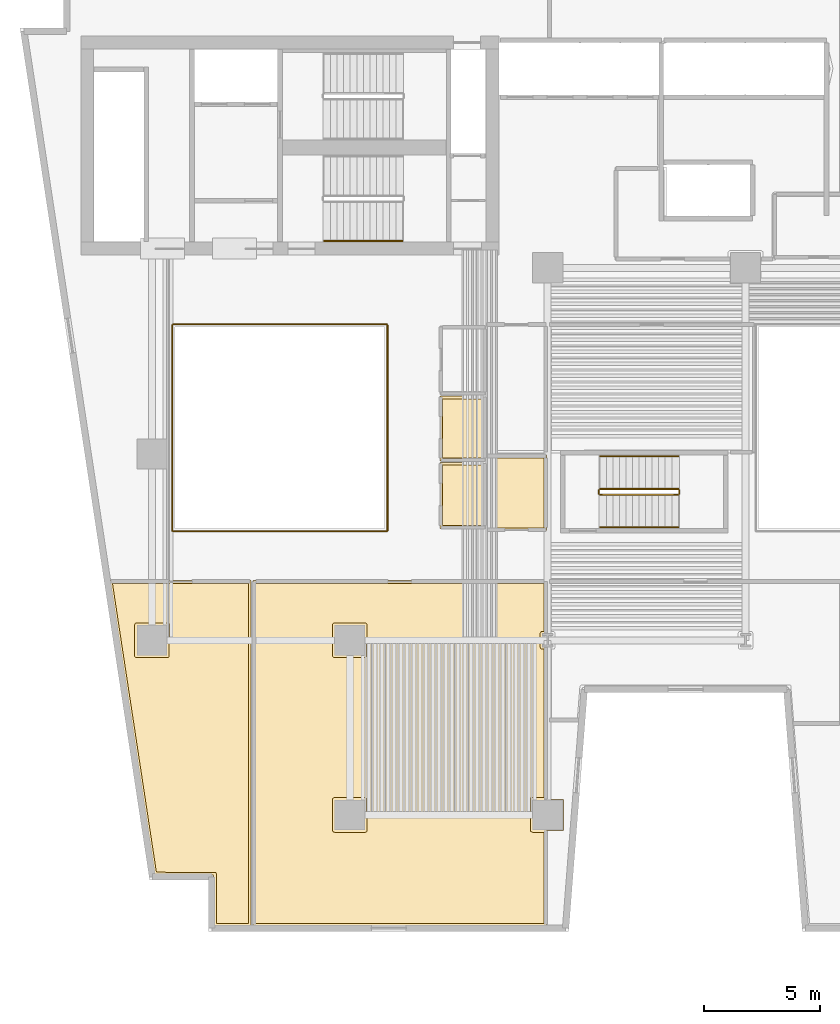
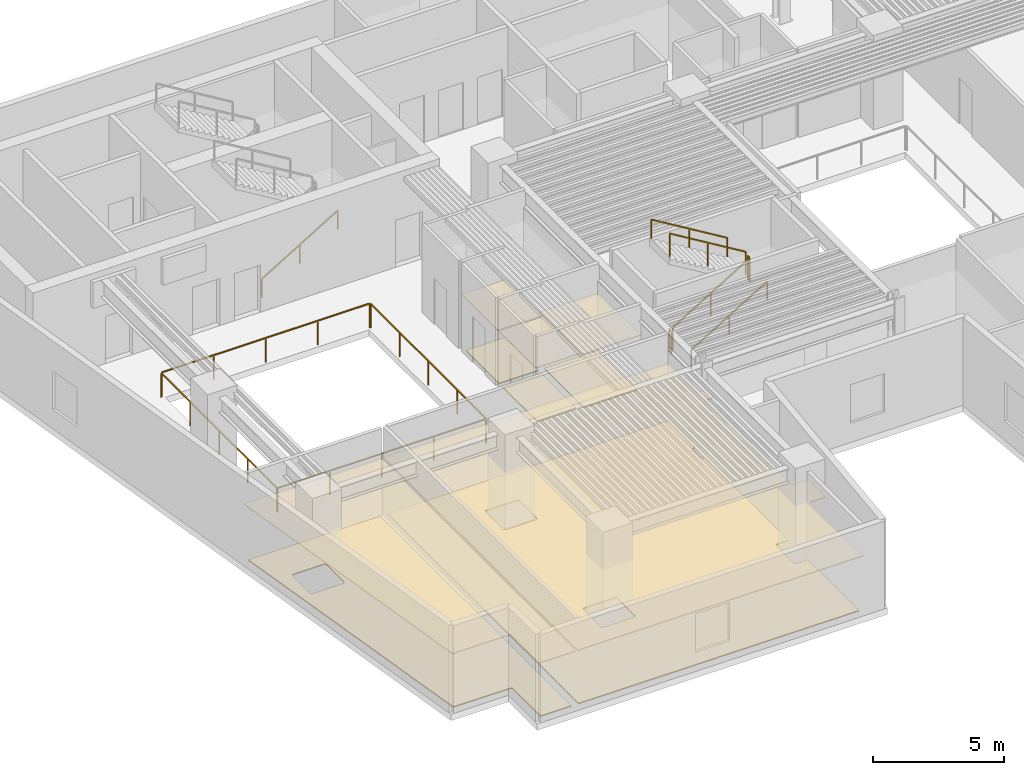
# One storey, part 8 of 11: 11 railings, 10 coverings.
"""IFC4 building model written with IfcOpenShell, lengths in metres."""

from ifc_helpers import new_model, si_unit, direction, frame, origin, origin_2d, place, context, subcontext, project, spatial, polyline, rectangle, outline, extrude, material, layer, layer_set, type_object, element, save


model = new_model("IFC4")

# Units and contexts
model_context = context("Model", 3, precision=1e-05, world=origin(), true_north=direction((0.0, 1.0)))
body_context = subcontext(model_context, "Body", "Model", "MODEL_VIEW")
ifc_project = project(units=[si_unit("LENGTHUNIT", "METRE"), si_unit("AREAUNIT", "SQUARE_METRE"), si_unit("VOLUMEUNIT", "CUBIC_METRE"), si_unit("PLANEANGLEUNIT", "RADIAN"), si_unit("MASSUNIT", "GRAM", prefix="KILO")], contexts=[model_context])

# Site, building, storey
site_placement = place(None, origin())
site = spatial("IfcSite", under=ifc_project, at=site_placement, CompositionType="ELEMENT")
building_placement = place(site_placement, origin())
building = spatial("IfcBuilding", under=site, at=building_placement, Name="Caeloran Harvest Quay", CompositionType="ELEMENT")
storey_placement = place(building_placement, frame((0.0, 0.0, 49.0)))
storey = spatial("IfcBuildingStorey", under=building, at=storey_placement, Name="L11", CompositionType="ELEMENT", Elevation=49.0)

# Coverings
ifc_material_1 = material(Name="Perforated Mineral-Fibre Acoustic Ceiling Tile", Category="ceiling")
ifc_layer_1 = layer(ifc_material_1, 0.0400390625, Name="Perforated Mineral-Fibre Acoustic Ceiling Tile")
ifc_layer_set_1 = layer_set([ifc_layer_1], Name="Perforated Mineral-Fibre Acoustic Ceiling Tile")
covering_type_1 = type_object("IfcCoveringType", Name="COV-CEILING-ACOUSTIC", PredefinedType="CEILING", material=ifc_layer_set_1)
covering_1_placement = place(storey_placement, frame((0.0, 0.0, 2.60009765625)))
element("IfcCovering", 1, at=covering_1_placement, inside=storey, type_object=covering_type_1, Name="L11 Female Washroom WC Acoustic Ceiling", PredefinedType="CEILING", context=body_context, shape_type="SweptSolid", body=[
    extrude(outline(polyline([(22.840087890625, 22.7099609375), (20.8701171875, 22.7099609375), (20.8701171875, 25.489990234375), (22.840087890625, 25.489990234375), (22.840087890625, 22.7099609375)])), origin(), (0.0, 0.0, 1.0), 0.039794921875),
])
covering_2_placement = place(storey_placement, frame((0.0, 0.0, 2.60009765625)))
element("IfcCovering", 2, at=covering_2_placement, inside=storey, type_object=covering_type_1, Name="L11 Accessible Unisex Washroom WC Acoustic Ceiling", PredefinedType="CEILING", context=body_context, shape_type="SweptSolid", body=[
    extrude(outline(polyline([(22.840087890625, 19.81005859375), (20.8701171875, 19.81005859375), (20.8701171875, 22.639892578125), (22.840087890625, 22.639892578125), (22.840087890625, 19.81005859375)])), origin(), (0.0, 0.0, 1.0), 0.039794921875),
])
covering_3_placement = place(storey_placement, frame((0.0, 0.0, 2.60009765625)))
element("IfcCovering", 3, at=covering_3_placement, inside=storey, type_object=covering_type_1, Name="Saffron and Herb Vertical Growing Room Acoustic Ceiling", PredefinedType="CEILING", context=body_context, shape_type="SweptSolid", body=[
    extrude(outline(polyline([(26.169921875, 8.169921875), (26.169921875, 6.830078125), (25.4599609375, 6.830078125), (25.4599609375, 2.719970703125), (12.840087890625, 2.719970703125), (12.840087890625, 17.56005859375), (25.4599609375, 17.56005859375), (25.4599609375, 15.304443359375), (25.7470703125, 15.304443359375), (25.7470703125, 14.695556640625), (25.4599609375, 14.695556640625), (25.4599609375, 8.169921875), (26.169921875, 8.169921875)])), origin(), (0.0, 0.0, 1.0), 0.039794921875),
])
covering_4_placement = place(storey_placement, frame((0.0, 0.0, 2.60009765625)))
element("IfcCovering", 4, at=covering_4_placement, inside=storey, type_object=covering_type_1, Name="Pollination Entomology Laboratory Acoustic Ceiling", PredefinedType="CEILING", context=body_context, shape_type="SweptSolid", body=[
    extrude(outline(polyline([(12.760009765625, 2.719970703125), (11.156982421875, 2.719970703125), (11.156982421875, 4.919921875), (8.59130859375, 4.919921875), (6.668701171875, 17.56005859375), (12.760009765625, 17.56005859375), (12.760009765625, 2.719970703125)])), origin(), (0.0, 0.0, 1.0), 0.039794921875),
])
covering_5_placement = place(storey_placement, frame((0.0, 0.0, 2.60009765625)))
element("IfcCovering", 5, at=covering_5_placement, inside=storey, type_object=covering_type_1, Name="Controlled-Climate Seed Vault Laboratory Acoustic Ceiling", PredefinedType="CEILING", context=body_context, shape_type="SweptSolid", body=[
    extrude(outline(polyline([(25.4599609375, 19.7099609375), (22.8701171875, 19.7099609375), (22.8701171875, 22.9599609375), (25.4599609375, 22.9599609375), (25.4599609375, 19.7099609375)])), origin(), (0.0, 0.0, 1.0), 0.039794921875),
])
ifc_material_2 = material(Name="Calcium-Sulphate Raised Access Floor and Terrazzo Finish", Category="flooring")
ifc_layer_2 = layer(ifc_material_2, 0.050048828125, Name="Calcium-Sulphate Raised Access Floor and Terrazzo Finish")
ifc_layer_set_2 = layer_set([ifc_layer_2], Name="Calcium-Sulphate Raised Access Floor and Terrazzo Finish")
covering_type_2 = type_object("IfcCoveringType", Name="COV-FLOOR-RAISED", PredefinedType="FLOORING", material=ifc_layer_set_2)
covering_6_placement = place(storey_placement, origin())
element("IfcCovering", 6, at=covering_6_placement, inside=storey, type_object=covering_type_2, Name="L11 Female Washroom WC Raised Finish Flooring", PredefinedType="FLOORING", context=body_context, shape_type="SweptSolid", body=[
    extrude(outline(polyline([(22.719970703125, 22.830078125), (20.989990234375, 22.830078125), (20.989990234375, 25.3701171875), (22.719970703125, 25.3701171875), (22.719970703125, 22.830078125)])), origin(), (0.0, 0.0, 1.0), 0.050048828125),
])
covering_7_placement = place(storey_placement, origin())
element("IfcCovering", 7, at=covering_7_placement, inside=storey, type_object=covering_type_2, Name="L11 Accessible Unisex Washroom WC Raised Finish Flooring", PredefinedType="FLOORING", context=body_context, shape_type="SweptSolid", body=[
    extrude(outline(polyline([(22.719970703125, 19.929931640625), (20.989990234375, 19.929931640625), (20.989990234375, 22.52001953125), (22.719970703125, 22.52001953125), (22.719970703125, 19.929931640625)])), origin(), (0.0, 0.0, 1.0), 0.050048828125),
])
covering_8_placement = place(storey_placement, origin())
element("IfcCovering", 8, at=covering_8_placement, inside=storey, type_object=covering_type_2, Name="Saffron and Herb Vertical Growing Room Raised Finish Flooring", PredefinedType="FLOORING", context=body_context, shape_type="SweptSolid", body=[
    extrude(outline(polyline([(25.340087890625, 17.43994140625), (25.340087890625, 15.37939453125), (25.22021484375, 15.3701171875), (25.177978515625, 15.299560546875), (25.179443359375, 14.684814453125), (25.227294921875, 14.626708984375), (25.340087890625, 14.62060546875), (25.340087890625, 8.2451171875), (24.8271484375, 8.24462890625), (24.773193359375, 8.2158203125), (24.7548828125, 8.1650390625), (24.760986328125, 6.804443359375), (24.8271484375, 6.75537109375), (25.340087890625, 6.7548828125), (25.340087890625, 2.840087890625), (12.9599609375, 2.840087890625), (12.9599609375, 17.43994140625), (25.340087890625, 17.43994140625)]), holes=[polyline([(16.3349609375, 8.2451171875), (16.2783203125, 8.2216796875), (16.2548828125, 8.1650390625), (16.2548828125, 6.8349609375), (16.2783203125, 6.7783203125), (16.3349609375, 6.7548828125), (17.6650390625, 6.7548828125), (17.7216796875, 6.7783203125), (17.7451171875, 6.8349609375), (17.7451171875, 8.1650390625), (17.7216796875, 8.2216796875), (17.6650390625, 8.2451171875), (16.3349609375, 8.2451171875)]), polyline([(17.7451171875, 15.6650390625), (17.7216796875, 15.7216796875), (17.6650390625, 15.7451171875), (16.3349609375, 15.7451171875), (16.2783203125, 15.7216796875), (16.2548828125, 15.6650390625), (16.2548828125, 14.3349609375), (16.2783203125, 14.2783203125), (16.3349609375, 14.2548828125), (17.6650390625, 14.2548828125), (17.7216796875, 14.2783203125), (17.7451171875, 14.3349609375), (17.7451171875, 15.6650390625)])]), origin(), (0.0, 0.0, 1.0), 0.050048828125),
])
covering_9_placement = place(storey_placement, origin())
element("IfcCovering", 9, at=covering_9_placement, inside=storey, type_object=covering_type_2, Name="Pollination Entomology Laboratory Raised Finish Flooring", PredefinedType="FLOORING", context=body_context, shape_type="SweptSolid", body=[
    extrude(outline(polyline([(12.639892578125, 17.43994140625), (12.639892578125, 2.840087890625), (11.277099609375, 2.840087890625), (11.277099609375, 4.9599609375), (11.247802734375, 5.021728515625), (8.694580078125, 5.0400390625), (6.80810546875, 17.43994140625), (12.639892578125, 17.43994140625)]), holes=[polyline([(9.2451171875, 15.6650390625), (9.2216796875, 15.7216796875), (9.1650390625, 15.7451171875), (7.8349609375, 15.7451171875), (7.7783203125, 15.7216796875), (7.7548828125, 15.6650390625), (7.7548828125, 14.3349609375), (7.7783203125, 14.2783203125), (7.8349609375, 14.2548828125), (9.1650390625, 14.2548828125), (9.2216796875, 14.2783203125), (9.2451171875, 14.3349609375), (9.2451171875, 15.6650390625)])]), origin(), (0.0, 0.0, 1.0), 0.050048828125),
])
covering_10_placement = place(storey_placement, origin())
element("IfcCovering", 10, at=covering_10_placement, inside=storey, type_object=covering_type_2, Name="Controlled-Climate Seed Vault Laboratory Raised Finish Flooring", PredefinedType="FLOORING", context=body_context, shape_type="SweptSolid", body=[
    extrude(outline(polyline([(25.340087890625, 19.830078125), (22.989990234375, 19.830078125), (22.989990234375, 22.840087890625), (25.340087890625, 22.840087890625), (25.340087890625, 19.830078125)])), origin(), (0.0, 0.0, 1.0), 0.050048828125),
])

# Railings
ifc_material_3 = material(Name="Powder-Coated Steel Post and Laminated Glass Guardrail", Category="steel")
ifc_layer_3 = layer(ifc_material_3, 0.06005859375, Name="Powder-Coated Steel Post and Laminated Glass Guardrail")
ifc_layer_set_3 = layer_set([ifc_layer_3], Name="Powder-Coated Steel Post and Laminated Glass Guardrail")
railing_type_1 = type_object("IfcRailingType", Name="GUARD-ATRIUM-1150", PredefinedType="GUARDRAIL", material=ifc_layer_set_3)
railing_1_placement = place(storey_placement, frame((9.412109375, 19.679931640625, 0.0)))
element("IfcRailing", 11, at=railing_1_placement, inside=storey, type_object=railing_type_1, Name="L11 Skylit Atrium Void Perimeter Guardrail Seg 1", PredefinedType="GUARDRAIL", context=body_context, shape_type="SweptSolid", body=[
    extrude(rectangle(XDim=0.048095703125, YDim=0.048095703125, at=origin_2d()), frame((0.0, 0.0, 1.1259765625), z_axis=(1.0, 0.0, 0.0), x_axis=(0.0, 1.0, 0.0)), (0.0, 0.0, 1.0), 9.17578125),
    extrude(rectangle(XDim=0.0419921875, YDim=0.0419921875, at=origin_2d()), origin(), (0.0, 0.0, 1.0), 1.101806640625),
    extrude(rectangle(XDim=0.0419921875, YDim=0.0419921875, at=origin_2d()), frame((2.2939453125, 0.0, 0.0)), (0.0, 0.0, 1.0), 1.101806640625),
    extrude(rectangle(XDim=0.0419921875, YDim=0.0419921875, at=origin_2d()), frame((4.587890625, 0.0, 0.0)), (0.0, 0.0, 1.0), 1.101806640625),
    extrude(rectangle(XDim=0.0419921875, YDim=0.0419921875, at=origin_2d()), frame((6.8818359375, 0.0, 0.0)), (0.0, 0.0, 1.0), 1.101806640625),
    extrude(rectangle(XDim=0.0419921875, YDim=0.0419921875, at=origin_2d()), frame((9.17578125, 0.0, 0.0)), (0.0, 0.0, 1.0), 1.101806640625),
])
railing_2_placement = place(storey_placement, frame((18.6201171875, 19.7119140625, 0.0)))
element("IfcRailing", 12, at=railing_2_placement, inside=storey, type_object=railing_type_1, Name="L11 Skylit Atrium Void Perimeter Guardrail Seg 2", PredefinedType="GUARDRAIL", context=body_context, shape_type="SweptSolid", body=[
    extrude(rectangle(XDim=0.048095703125, YDim=0.048095703125, at=origin_2d()), frame((0.0, 0.0, 1.1259765625), z_axis=(0.0, 1.0, 0.0), x_axis=(-1.0, 0.0, 0.0)), (0.0, 0.0, 1.0), 8.826171875),
    extrude(rectangle(XDim=0.0419921875, YDim=0.0419921875, at=origin_2d()), origin(), (0.0, 0.0, 1.0), 1.101806640625),
    extrude(rectangle(XDim=0.0419921875, YDim=0.0419921875, at=origin_2d()), frame((0.0, 2.20654296875, 0.0)), (0.0, 0.0, 1.0), 1.101806640625),
    extrude(rectangle(XDim=0.0419921875, YDim=0.0419921875, at=origin_2d()), frame((0.0, 4.4130859375, 0.0)), (0.0, 0.0, 1.0), 1.101806640625),
    extrude(rectangle(XDim=0.0419921875, YDim=0.0419921875, at=origin_2d()), frame((0.0, 6.61962890625, 0.0)), (0.0, 0.0, 1.0), 1.101806640625),
    extrude(rectangle(XDim=0.0419921875, YDim=0.0419921875, at=origin_2d()), frame((0.0, 8.826171875, 0.0)), (0.0, 0.0, 1.0), 1.101806640625),
])
railing_3_placement = place(storey_placement, frame((18.587890625, 28.570068359375, 0.0)))
element("IfcRailing", 13, at=railing_3_placement, inside=storey, type_object=railing_type_1, Name="L11 Skylit Atrium Void Perimeter Guardrail Seg 3", PredefinedType="GUARDRAIL", context=body_context, shape_type="SweptSolid", body=[
    extrude(rectangle(XDim=0.048095703125, YDim=0.048095703125, at=origin_2d()), frame((0.0, 0.0, 1.1259765625), z_axis=(-1.0, 0.0, 0.0), x_axis=(0.0, -1.0, 0.0)), (0.0, 0.0, 1.0), 9.17578125),
    extrude(rectangle(XDim=0.0419921875, YDim=0.0419921875, at=origin_2d()), origin(), (0.0, 0.0, 1.0), 1.101806640625),
    extrude(rectangle(XDim=0.0419921875, YDim=0.0419921875, at=origin_2d()), frame((-2.2939453125, 0.0, 0.0)), (0.0, 0.0, 1.0), 1.101806640625),
    extrude(rectangle(XDim=0.0419921875, YDim=0.0419921875, at=origin_2d()), frame((-4.587890625, 0.0, 0.0)), (0.0, 0.0, 1.0), 1.101806640625),
    extrude(rectangle(XDim=0.0419921875, YDim=0.0419921875, at=origin_2d()), frame((-6.8818359375, 0.0, 0.0)), (0.0, 0.0, 1.0), 1.101806640625),
    extrude(rectangle(XDim=0.0419921875, YDim=0.0419921875, at=origin_2d()), frame((-9.17578125, 0.0, 0.0)), (0.0, 0.0, 1.0), 1.101806640625),
])
railing_4_placement = place(storey_placement, frame((9.3798828125, 28.5380859375, 0.0)))
element("IfcRailing", 14, at=railing_4_placement, inside=storey, type_object=railing_type_1, Name="L11 Skylit Atrium Void Perimeter Guardrail Seg 4", PredefinedType="GUARDRAIL", context=body_context, shape_type="SweptSolid", body=[
    extrude(rectangle(XDim=0.048095703125, YDim=0.048095703125, at=origin_2d()), frame((0.0, 0.0, 1.1259765625), z_axis=(0.0, -1.0, 0.0), x_axis=(1.0, 0.0, 0.0)), (0.0, 0.0, 1.0), 8.826171875),
    extrude(rectangle(XDim=0.0419921875, YDim=0.0419921875, at=origin_2d()), origin(), (0.0, 0.0, 1.0), 1.101806640625),
    extrude(rectangle(XDim=0.0419921875, YDim=0.0419921875, at=origin_2d()), frame((0.0, -2.20654296875, 0.0)), (0.0, 0.0, 1.0), 1.101806640625),
    extrude(rectangle(XDim=0.0419921875, YDim=0.0419921875, at=origin_2d()), frame((0.0, -4.4130859375, 0.0)), (0.0, 0.0, 1.0), 1.101806640625),
    extrude(rectangle(XDim=0.0419921875, YDim=0.0419921875, at=origin_2d()), frame((0.0, -6.61962890625, 0.0)), (0.0, 0.0, 1.0), 1.101806640625),
    extrude(rectangle(XDim=0.0419921875, YDim=0.0419921875, at=origin_2d()), frame((0.0, -8.826171875, 0.0)), (0.0, 0.0, 1.0), 1.101806640625),
])
ifc_material_4 = material(Name="Painted Steel Baluster and Top-Rail Stair Guard", Category="steel")
ifc_layer_4 = layer(ifc_material_4, 0.050048828125, Name="Painted Steel Baluster and Top-Rail Stair Guard")
ifc_layer_set_4 = layer_set([ifc_layer_4], Name="Painted Steel Baluster and Top-Rail Stair Guard")
railing_type_2 = type_object("IfcRailingType", Name="STAIR-GUARD-1100", PredefinedType="GUARDRAIL", material=ifc_layer_set_4)
railing_5_placement = place(storey_placement, frame((27.75, 21.25, 0.169189453125)))
element("IfcRailing", 15, at=railing_5_placement, inside=storey, type_object=railing_type_2, Name="L11 ST-W1 stair guard 1", PredefinedType="GUARDRAIL", context=body_context, shape_type="SweptSolid", body=[
    extrude(rectangle(XDim=0.048095703125, YDim=0.048095703125, at=origin_2d()), frame((0.0, 0.0, 1.076171875), z_axis=(0.855836976705, 0.0, 0.517245656632), x_axis=(0.0, 1.0, 0.0)), (0.0, 0.0, 1.0), 3.926025390625),
    extrude(rectangle(XDim=0.0419921875, YDim=0.0419921875, at=origin_2d()), origin(), (0.0, 0.0, 1.0), 1.052001953125),
    extrude(rectangle(XDim=0.0419921875, YDim=0.0419921875, at=origin_2d()), frame((1.68017578125, 0.0, 1.015380859375)), (0.0, 0.0, 1.0), 1.052001953125),
    extrude(rectangle(XDim=0.0419921875, YDim=0.0419921875, at=origin_2d()), frame((3.360107421875, 0.0, 2.03076171875)), (0.0, 0.0, 1.0), 1.052001953125),
])
railing_6_placement = place(storey_placement, frame((31.159912109375, 21.300048828125, 2.199951171875)))
element("IfcRailing", 16, at=railing_6_placement, inside=storey, type_object=railing_type_2, Name="L11 ST-W1 stair guard 2", PredefinedType="GUARDRAIL", context=body_context, shape_type="SweptSolid", body=[
    extrude(rectangle(XDim=0.048095703125, YDim=0.048095703125, at=origin_2d()), frame((0.0, 0.0, 1.076171875), z_axis=(0.0, 1.0, 0.0), x_axis=(-1.0, 0.0, 0.0)), (0.0, 0.0, 1.0), 0.14990234375),
    extrude(rectangle(XDim=0.0419921875, YDim=0.0419921875, at=origin_2d()), origin(), (0.0, 0.0, 1.0), 1.052001953125),
    extrude(rectangle(XDim=0.0419921875, YDim=0.0419921875, at=origin_2d()), frame((0.0, 0.14990234375, 0.0)), (0.0, 0.0, 1.0), 1.052001953125),
])
railing_7_placement = place(storey_placement, frame((31.110107421875, 21.5, 2.369140625)))
element("IfcRailing", 17, at=railing_7_placement, inside=storey, type_object=railing_type_2, Name="L11 ST-W1 stair guard 3", PredefinedType="GUARDRAIL", context=body_context, shape_type="SweptSolid", body=[
    extrude(rectangle(XDim=0.048095703125, YDim=0.048095703125, at=origin_2d()), frame((0.0, 0.0, 1.076171875), z_axis=(-0.855836976705, 0.0, 0.517245656632), x_axis=(0.0, -1.0, 0.0)), (0.0, 0.0, 1.0), 3.926025390625),
    extrude(rectangle(XDim=0.0419921875, YDim=0.0419921875, at=origin_2d()), origin(), (0.0, 0.0, 1.0), 1.052001953125),
    extrude(rectangle(XDim=0.0419921875, YDim=0.0419921875, at=origin_2d()), frame((-1.68017578125, 0.0, 1.015380859375)), (0.0, 0.0, 1.0), 1.052001953125),
    extrude(rectangle(XDim=0.0419921875, YDim=0.0419921875, at=origin_2d()), frame((-3.360107421875, 0.0, 2.03076171875)), (0.0, 0.0, 1.0), 1.052001953125),
])
railing_8_placement = place(storey_placement, frame((27.699951171875, 21.300048828125, 0.0)))
element("IfcRailing", 18, at=railing_8_placement, inside=storey, type_object=railing_type_2, Name="L11 ST-W1 stair guard 4", PredefinedType="GUARDRAIL", context=body_context, shape_type="SweptSolid", body=[
    extrude(rectangle(XDim=0.048095703125, YDim=0.048095703125, at=origin_2d()), frame((0.0, 0.0, 1.076171875), z_axis=(0.0, 1.0, 0.0), x_axis=(-1.0, 0.0, 0.0)), (0.0, 0.0, 1.0), 0.14990234375),
    extrude(rectangle(XDim=0.0419921875, YDim=0.0419921875, at=origin_2d()), origin(), (0.0, 0.0, 1.0), 1.052001953125),
    extrude(rectangle(XDim=0.0419921875, YDim=0.0419921875, at=origin_2d()), frame((0.0, 0.14990234375, 0.0)), (0.0, 0.0, 1.0), 1.052001953125),
])
ifc_material_5 = material(Name="Brushed Stainless Steel Grade 304", Category="steel")
ifc_layer_5 = layer(ifc_material_5, 0.050048828125, Name="Brushed Stainless Steel Grade 304")
ifc_layer_set_5 = layer_set([ifc_layer_5], Name="Brushed Stainless Steel Grade 304")
railing_type_3 = type_object("IfcRailingType", Name="STAIR-HANDRAIL-900", PredefinedType="HANDRAIL", material=ifc_layer_set_5)
for number, where, name in (
    (19, (15.89990234375, 32.14990234375, 0.169189453125), "L11 ST-C2 stair handrail 1"),
    (20, (27.75, 19.85009765625, 0.169189453125), "L11 ST-W1 stair handrail 1"),
):
    element("IfcRailing", number, at=place(storey_placement, frame(where)), inside=storey, type_object=railing_type_3, Name=name, PredefinedType="HANDRAIL", context=body_context, shape_type="SweptSolid", body=[
        extrude(rectangle(XDim=0.048095703125, YDim=0.048095703125, at=origin_2d()), frame((0.0, 0.0, 0.8759765625), z_axis=(0.855836976705, 0.0, 0.517245656632), x_axis=(0.0, 1.0, 0.0)), (0.0, 0.0, 1.0), 3.926025390625),
        extrude(rectangle(XDim=0.0419921875, YDim=0.0419921875, at=origin_2d()), origin(), (0.0, 0.0, 1.0), 0.851806640625),
        extrude(rectangle(XDim=0.0419921875, YDim=0.0419921875, at=origin_2d()), frame((1.68017578125, 0.0, 1.015380859375)), (0.0, 0.0, 1.0), 0.851806640625),
        extrude(rectangle(XDim=0.0419921875, YDim=0.0419921875, at=origin_2d()), frame((3.360107421875, 0.0, 2.03076171875)), (0.0, 0.0, 1.0), 0.851806640625),
    ])
railing_9_placement = place(storey_placement, frame((31.110107421875, 22.89990234375, 2.369140625)))
element("IfcRailing", 21, at=railing_9_placement, inside=storey, type_object=railing_type_3, Name="L11 ST-W1 stair handrail 2", PredefinedType="HANDRAIL", context=body_context, shape_type="SweptSolid", body=[
    extrude(rectangle(XDim=0.048095703125, YDim=0.048095703125, at=origin_2d()), frame((0.0, 0.0, 0.8759765625), z_axis=(-0.855836976705, 0.0, 0.517245656632), x_axis=(0.0, -1.0, 0.0)), (0.0, 0.0, 1.0), 3.926025390625),
    extrude(rectangle(XDim=0.0419921875, YDim=0.0419921875, at=origin_2d()), origin(), (0.0, 0.0, 1.0), 0.851806640625),
    extrude(rectangle(XDim=0.0419921875, YDim=0.0419921875, at=origin_2d()), frame((-1.68017578125, 0.0, 1.015380859375)), (0.0, 0.0, 1.0), 0.851806640625),
    extrude(rectangle(XDim=0.0419921875, YDim=0.0419921875, at=origin_2d()), frame((-3.360107421875, 0.0, 2.03076171875)), (0.0, 0.0, 1.0), 0.851806640625),
])

save(model, "model.ifc")
